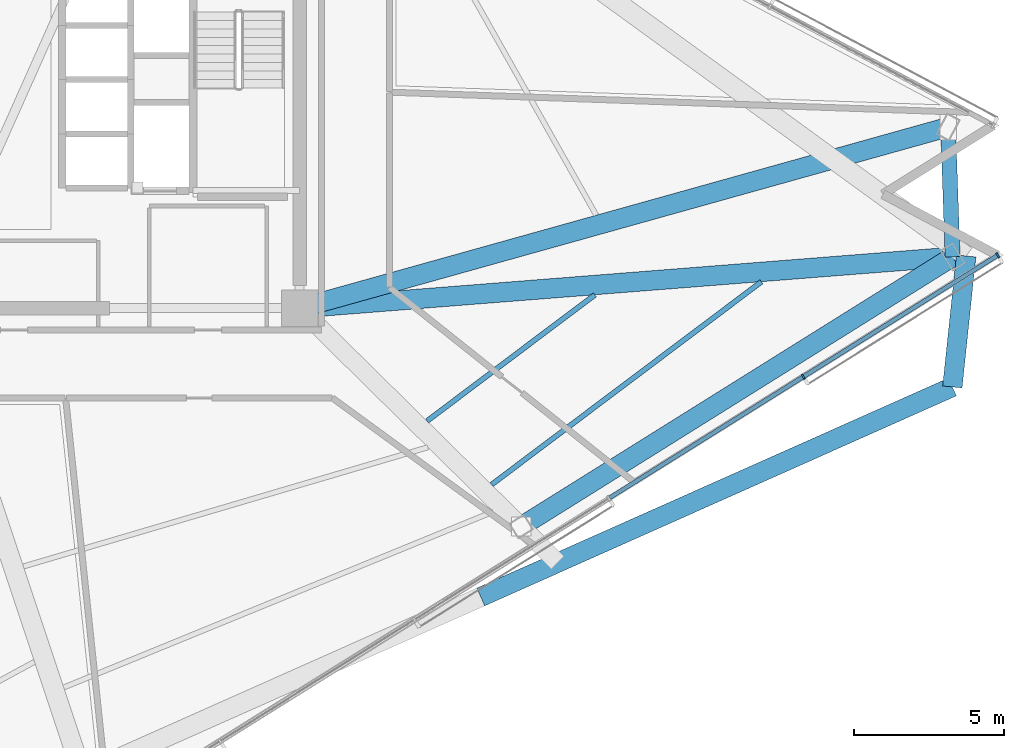
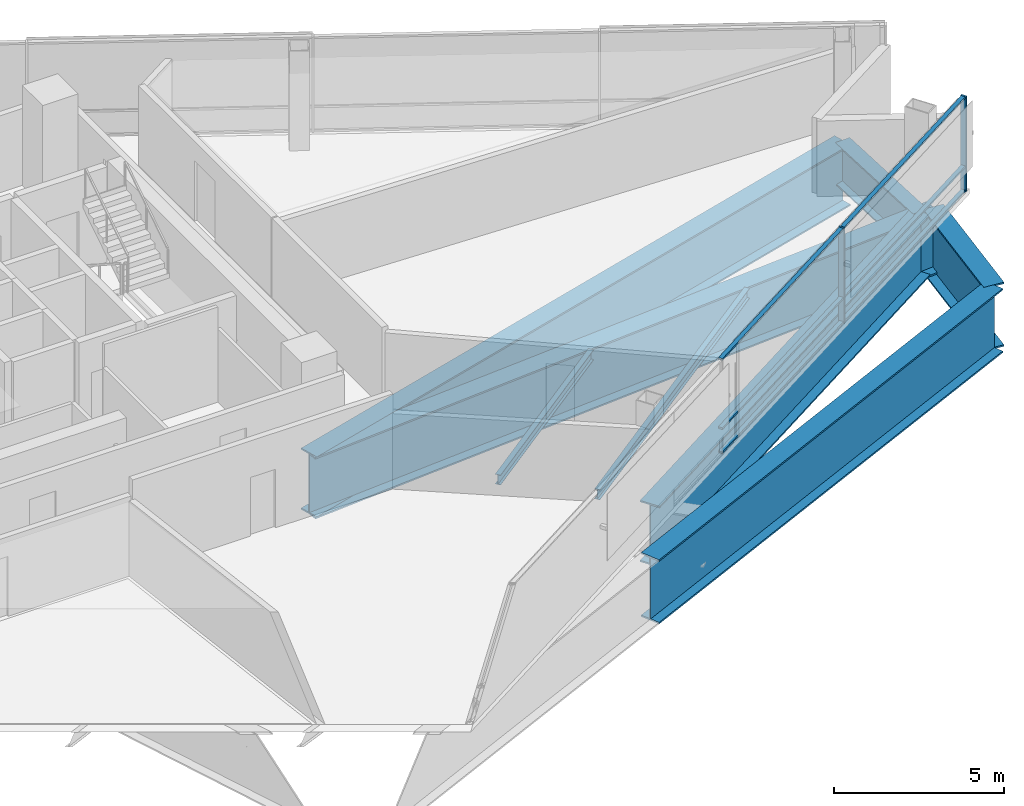
# One storey, part 6 of 20: 8 beams, 8 members, 1 element without a shape of its own.
"""IFC4 building model written with IfcOpenShell, lengths in metres."""

from ifc_helpers import new_model, si_unit, direction, frame, origin, origin_2d, place, context, subcontext, project, spatial, rectangle, i_section, extrude, material, layer, layer_set, material_profile, profile_set, type_object, element, aggregate, save


model = new_model("IFC4")

# Units and contexts
model_context = context("Model", 3, precision=1e-05, world=origin(), true_north=direction((0.0, 1.0)))
body_context = subcontext(model_context, "Body", "Model", "MODEL_VIEW")
ifc_project = project(units=[si_unit("LENGTHUNIT", "METRE"), si_unit("AREAUNIT", "SQUARE_METRE"), si_unit("VOLUMEUNIT", "CUBIC_METRE"), si_unit("PLANEANGLEUNIT", "RADIAN"), si_unit("MASSUNIT", "GRAM", prefix="KILO")], contexts=[model_context])

# Site, building, storey
site_placement = place(None, origin())
site = spatial("IfcSite", under=ifc_project, at=site_placement, CompositionType="ELEMENT")
building_placement = place(site_placement, origin())
building = spatial("IfcBuilding", under=site, at=building_placement, Name="Tharavind Bronze Gate", CompositionType="ELEMENT")
storey_placement = place(building_placement, frame((0.0, 0.0, 138.800048828125)))
storey = spatial("IfcBuildingStorey", under=building, at=storey_placement, Name="L35", CompositionType="ELEMENT", Elevation=138.800048828125)

# Curtain wall, members
ifc_material_1 = material(Name="Anodised Bronze Aluminium", Category="aluminium")
ifc_layer = layer(ifc_material_1, 0.219970703125)
ifc_layer_set = layer_set([ifc_layer], Name="Anodised Bronze Aluminium")
curtain_wall_type = type_object("IfcCurtainWallType", Name="UNITISED CURTAIN WALL MID OFFICE", PredefinedType="USERDEFINED", material=ifc_layer_set)
curtain_wall_placement = place(storey_placement, origin())
curtain_wall = element("IfcCurtainWall", 1, at=curtain_wall_placement, inside=storey, type_object=curtain_wall_type, Name="L35 unitised curtain wall mid office CW-L35-S2", ObjectType="UNITISED CURTAIN WALL", PredefinedType="USERDEFINED")
member_type_1 = type_object("IfcMemberType", Name="CURTAIN WALL BRONZE MULLION 65X180", PredefinedType="MULLION", material=ifc_material_1)
member_1_placement = place(storey_placement, frame((25.649169921875, -9.8798828125, 0.0), z_axis=(0.0, 0.0, 1.0), x_axis=(0.848048096156, 0.529919264233, 0.0)))
member_1 = element("IfcMember", 2, at=member_1_placement, type_object=member_type_1, Name="CW-L35-S2 mullion 7", PredefinedType="MULLION", context=body_context, shape_type="SweptSolid", body=[
    extrude(rectangle(XDim=0.06494140625, YDim=0.179931640625, at=origin_2d()), origin(), (0.0, 0.0, 1.0), 3.409912109375),
])
member_2_placement = place(storey_placement, frame((32.114501953125, -5.83984375, 0.0), z_axis=(0.0, 0.0, 1.0), x_axis=(0.848048096156, 0.529919264233, 0.0)))
member_2 = element("IfcMember", 3, at=member_2_placement, type_object=member_type_1, Name="CW-L35-S2 mullion 8", PredefinedType="MULLION", context=body_context, shape_type="SweptSolid", body=[
    extrude(rectangle(XDim=0.06494140625, YDim=0.179931640625, at=origin_2d()), origin(), (0.0, 0.0, 1.0), 3.409912109375),
])
member_type_2 = type_object("IfcMemberType", Name="CURTAIN WALL BRONZE TRANSOM 65X140", PredefinedType="USERDEFINED", material=ifc_material_1)
member_3_placement = place(storey_placement, frame((22.41650390625, -11.89990234375, 0.0), z_axis=(0.0, 0.0, 1.0), x_axis=(0.848048096156, 0.529919264233, 0.0)))
member_3 = element("IfcMember", 4, at=member_3_placement, type_object=member_type_2, Name="CW-L35-S2 transom TB6", ObjectType="TRANSOM", PredefinedType="USERDEFINED", context=body_context, shape_type="SweptSolid", body=[
    extrude(rectangle(XDim=7.57080078125, YDim=0.139892578125, at=origin_2d()), origin(), (0.0, 0.0, 1.0), 0.06494140625),
])
member_4_placement = place(storey_placement, frame((22.41650390625, -11.89990234375, 0.867431640625), z_axis=(0.0, 0.0, 1.0), x_axis=(0.848048096156, 0.529919264233, 0.0)))
member_4 = element("IfcMember", 5, at=member_4_placement, type_object=member_type_2, Name="CW-L35-S2 transom TS6", ObjectType="TRANSOM", PredefinedType="USERDEFINED", context=body_context, shape_type="SweptSolid", body=[
    extrude(rectangle(XDim=7.57080078125, YDim=0.139892578125, at=origin_2d()), origin(), (0.0, 0.0, 1.0), 0.06494140625),
])
member_5_placement = place(storey_placement, frame((22.41650390625, -11.89990234375, 3.344970703125), z_axis=(0.0, 0.0, 1.0), x_axis=(0.848048096156, 0.529919264233, 0.0)))
member_5 = element("IfcMember", 6, at=member_5_placement, type_object=member_type_2, Name="CW-L35-S2 transom TT6", ObjectType="TRANSOM", PredefinedType="USERDEFINED", context=body_context, shape_type="SweptSolid", body=[
    extrude(rectangle(XDim=7.57080078125, YDim=0.139892578125, at=origin_2d()), origin(), (0.0, 0.0, 1.0), 0.06494140625),
])
member_6_placement = place(storey_placement, frame((28.8818359375, -7.85986328125, 0.0), z_axis=(0.0, 0.0, 1.0), x_axis=(0.848048096156, 0.529919264233, 0.0)))
member_6 = element("IfcMember", 7, at=member_6_placement, type_object=member_type_2, Name="CW-L35-S2 transom TB7", ObjectType="TRANSOM", PredefinedType="USERDEFINED", context=body_context, shape_type="SweptSolid", body=[
    extrude(rectangle(XDim=7.57080078125, YDim=0.139892578125, at=origin_2d()), origin(), (0.0, 0.0, 1.0), 0.06494140625),
])
member_7_placement = place(storey_placement, frame((28.8818359375, -7.85986328125, 0.867431640625), z_axis=(0.0, 0.0, 1.0), x_axis=(0.848048096156, 0.529919264233, 0.0)))
member_7 = element("IfcMember", 8, at=member_7_placement, type_object=member_type_2, Name="CW-L35-S2 transom TS7", ObjectType="TRANSOM", PredefinedType="USERDEFINED", context=body_context, shape_type="SweptSolid", body=[
    extrude(rectangle(XDim=7.57080078125, YDim=0.139892578125, at=origin_2d()), origin(), (0.0, 0.0, 1.0), 0.06494140625),
])
member_8_placement = place(storey_placement, frame((28.8818359375, -7.85986328125, 3.344970703125), z_axis=(0.0, 0.0, 1.0), x_axis=(0.848048096156, 0.529919264233, 0.0)))
member_8 = element("IfcMember", 9, at=member_8_placement, type_object=member_type_2, Name="CW-L35-S2 transom TT7", ObjectType="TRANSOM", PredefinedType="USERDEFINED", context=body_context, shape_type="SweptSolid", body=[
    extrude(rectangle(XDim=7.57080078125, YDim=0.139892578125, at=origin_2d()), origin(), (0.0, 0.0, 1.0), 0.06494140625),
])
aggregate(curtain_wall, [member_1, member_2, member_3, member_4, member_5, member_6, member_7, member_8])

# Beams
ifc_material_2 = material(Name="Steel S355", Category="steel")
ifc_material_profile_1 = material_profile(ifc_material_2, i_section(OverallWidth=0.169921875, OverallDepth=0.360107421875, WebThickness=0.008056640625, FlangeThickness=0.0126953125, at=origin_2d()), Name="IPE360")
ifc_profile_set_1 = profile_set([ifc_material_profile_1], Name="Steel S355")
beam_type_1 = type_object("IfcBeamType", Name="SECONDARY FLOOR JOIST IPE360", PredefinedType="JOIST", material=ifc_profile_set_1)
beam_1_placement = place(storey_placement, frame((13.136962890625, -11.350341796875, -0.3701171875), z_axis=(0.799327912304, 0.600895072881, 0.0), x_axis=(-0.600895072881, 0.799327912304, 0.0)))
element("IfcBeam", 10, at=beam_1_placement, inside=storey, type_object=beam_type_1, Name="L35 secondary floor joist ipe360 BM-L35-JSTA07", PredefinedType="JOIST", context=body_context, shape_type="SweptSolid", body=[
    extrude(i_section(OverallWidth=0.169921875, OverallDepth=0.360107421875, WebThickness=0.008056640625, FlangeThickness=0.0126953125, at=origin_2d()), origin(), (0.0, 0.0, 1.0), 6.979736328125),
])
beam_2_placement = place(storey_placement, frame((15.28271484375, -13.466064453125, -0.3701171875), z_axis=(0.799318325109, 0.600907825831, 0.0), x_axis=(-0.600907825831, 0.799318325109, 0.0)))
element("IfcBeam", 11, at=beam_2_placement, inside=storey, type_object=beam_type_1, Name="L35 secondary floor joist ipe360 BM-L35-JSTB07", PredefinedType="JOIST", context=body_context, shape_type="SweptSolid", body=[
    extrude(i_section(OverallWidth=0.169921875, OverallDepth=0.360107421875, WebThickness=0.008056640625, FlangeThickness=0.0126953125, at=origin_2d()), origin(), (0.0, 0.0, 1.0), 11.2255859375),
])
ifc_material_3 = material(Name="Steel S460", Category="steel")
ifc_material_profile_2 = material_profile(ifc_material_3, i_section(OverallWidth=0.5, OverallDepth=1.5, WebThickness=0.028076171875, FlangeThickness=0.050048828125, at=origin_2d()), Name="PG1500X500")
ifc_profile_set_2 = profile_set([ifc_material_profile_2], Name="Steel S460")
beam_type_2 = type_object("IfcBeamType", Name="TRANSFER GIRDER 1500X500", PredefinedType="USERDEFINED", material=ifc_profile_set_2)
beam_3_placement = place(storey_placement, frame((30.615478515625, -5.89208984375, -0.93994140625), z_axis=(-0.034869079132, 0.999391888761, 0.0), x_axis=(-0.999391888761, -0.034869079132, 0.0)))
element("IfcBeam", 12, at=beam_3_placement, inside=storey, type_object=beam_type_2, Name="L35 transfer girder 1500x500 BM-L35-URG08", ObjectType="TRANSFER GIRDER", PredefinedType="USERDEFINED", context=body_context, shape_type="SweptSolid", body=[
    extrude(i_section(OverallWidth=0.5, OverallDepth=1.5, WebThickness=0.028076171875, FlangeThickness=0.050048828125, at=origin_2d()), origin(), (0.0, 0.0, 1.0), 4.320068359375),
])
ifc_material_profile_3 = material_profile(ifc_material_3, i_section(OverallWidth=0.64990234375, OverallDepth=2.199951171875, WebThickness=0.035888671875, FlangeThickness=0.054931640625, at=origin_2d()), Name="PG2200X650")
ifc_profile_set_3 = profile_set([ifc_material_profile_3], Name="Steel S460")
beam_type_3 = type_object("IfcBeamType", Name="TRANSFER GIRDER 2200X650", PredefinedType="USERDEFINED", material=ifc_profile_set_3)
beam_4_placement = place(storey_placement, frame((16.263916015625, -14.860107421875, -1.2900390625), z_axis=(0.84804368744, 0.529926319589, 0.0), x_axis=(-0.529926319589, 0.84804368744, 0.0)))
element("IfcBeam", 13, at=beam_4_placement, inside=storey, type_object=beam_type_3, Name="L35 transfer girder 2200x650 BM-L35-URG07", ObjectType="TRANSFER GIRDER", PredefinedType="USERDEFINED", context=body_context, shape_type="SweptSolid", body=[
    extrude(i_section(OverallWidth=0.64990234375, OverallDepth=2.199951171875, WebThickness=0.035888671875, FlangeThickness=0.054931640625, at=origin_2d()), origin(), (0.0, 0.0, 1.0), 16.923095703125),
])
beam_5_placement = place(storey_placement, frame((8.89990234375, -7.60009765625, -1.2900390625), z_axis=(0.99692159958, 0.078404874149, 0.0), x_axis=(-0.078404874149, 0.99692159958, 0.0)))
element("IfcBeam", 14, at=beam_5_placement, inside=storey, type_object=beam_type_3, Name="L35 transfer girder 2200x650 BM-L35-XFR08", ObjectType="TRANSFER GIRDER", PredefinedType="USERDEFINED", context=body_context, shape_type="SweptSolid", body=[
    extrude(i_section(OverallWidth=0.64990234375, OverallDepth=2.199951171875, WebThickness=0.035888671875, FlangeThickness=0.054931640625, at=origin_2d()), origin(), (0.0, 0.0, 1.0), 22.2265625),
])
beam_6_placement = place(storey_placement, frame((8.89990234375, -7.60009765625, -1.2900390625), z_axis=(0.96311222074, 0.269100074809, 0.0), x_axis=(-0.269100074809, 0.96311222074, 0.0)))
element("IfcBeam", 15, at=beam_6_placement, inside=storey, type_object=beam_type_3, Name="L35 transfer girder 2200x650 BM-L35-XFR09", ObjectType="TRANSFER GIRDER", PredefinedType="USERDEFINED", context=body_context, shape_type="SweptSolid", body=[
    extrude(i_section(OverallWidth=0.64990234375, OverallDepth=2.199951171875, WebThickness=0.035888671875, FlangeThickness=0.054931640625, at=origin_2d()), origin(), (0.0, 0.0, 1.0), 22.390869140625),
])
ifc_material_profile_4 = material_profile(ifc_material_3, i_section(OverallWidth=0.64990234375, OverallDepth=2.300048828125, WebThickness=0.035888671875, FlangeThickness=0.05810546875, at=origin_2d()), Name="PG2300X650")
ifc_profile_set_4 = profile_set([ifc_material_profile_4], Name="Steel S460")
beam_type_4 = type_object("IfcBeamType", Name="TRANSFER GIRDER 2300X650", PredefinedType="USERDEFINED", material=ifc_profile_set_4)
beam_7_placement = place(storey_placement, frame((14.9208984375, -17.20361328125, -1.340087890625), z_axis=(0.913538716284, 0.406751784078, 0.0), x_axis=(-0.406751784078, 0.913538716284, 0.0)))
element("IfcBeam", 16, at=beam_7_placement, inside=storey, type_object=beam_type_4, Name="L35 transfer girder 2300x650 BM-L35-LRG07", ObjectType="TRANSFER GIRDER", PredefinedType="USERDEFINED", context=body_context, shape_type="SweptSolid", body=[
    extrude(i_section(OverallWidth=0.64990234375, OverallDepth=2.300048828125, WebThickness=0.035888671875, FlangeThickness=0.05810546875, at=origin_2d()), origin(), (0.0, 0.0, 1.0), 17.171630859375),
])
beam_8_placement = place(storey_placement, frame((30.60791015625, -10.218994140625, -1.340087890625), z_axis=(0.1045687219, 0.994517663192, 0.0), x_axis=(-0.994517663192, 0.1045687219, 0.0)))
element("IfcBeam", 17, at=beam_8_placement, inside=storey, type_object=beam_type_4, Name="L35 transfer girder 2300x650 BM-L35-LRG08", ObjectType="TRANSFER GIRDER", PredefinedType="USERDEFINED", context=body_context, shape_type="SweptSolid", body=[
    extrude(i_section(OverallWidth=0.64990234375, OverallDepth=2.300048828125, WebThickness=0.035888671875, FlangeThickness=0.05810546875, at=origin_2d()), origin(), (0.0, 0.0, 1.0), 4.3798828125),
])

save(model, "model.ifc")
